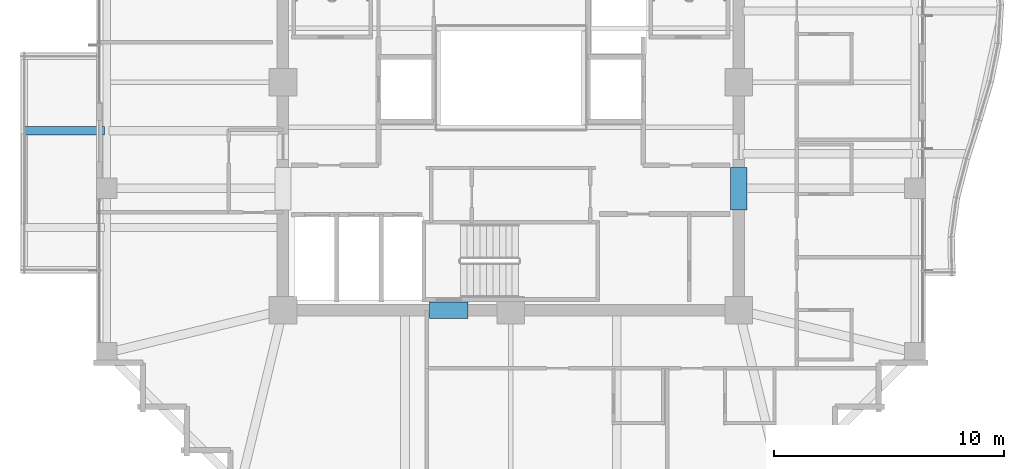
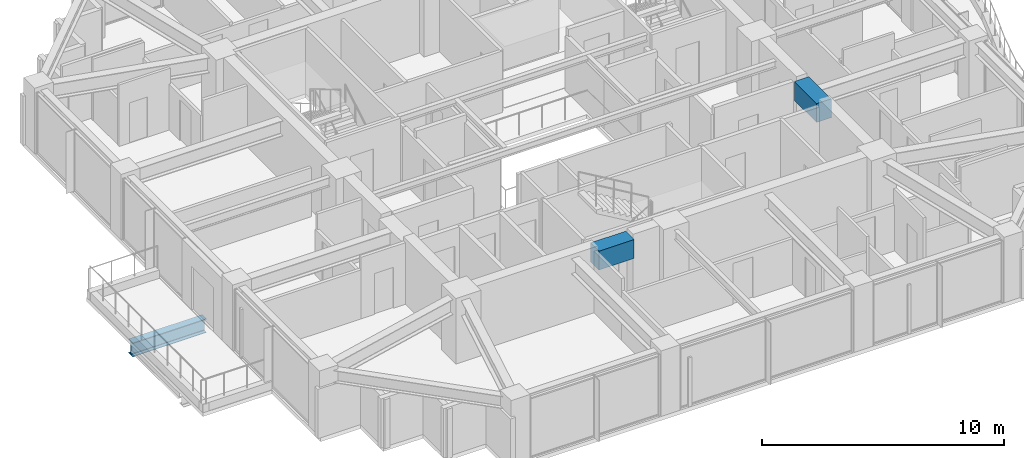
# One storey, part 8 of 32: 3 beams.
"""IFC4 building model written with IfcOpenShell, lengths in metres."""

from ifc_helpers import new_model, si_unit, direction, frame, origin, origin_2d, place, context, subcontext, project, spatial, rectangle, i_section, extrude, material, material_profile, profile_set, type_object, element, save


model = new_model("IFC4")

# Units and contexts
model_context = context("Model", 3, precision=1e-05, world=origin(), true_north=direction((0.0, 1.0)))
body_context = subcontext(model_context, "Body", "Model", "MODEL_VIEW")
ifc_project = project(units=[si_unit("LENGTHUNIT", "METRE"), si_unit("AREAUNIT", "SQUARE_METRE"), si_unit("VOLUMEUNIT", "CUBIC_METRE"), si_unit("PLANEANGLEUNIT", "RADIAN"), si_unit("MASSUNIT", "GRAM", prefix="KILO")], contexts=[model_context])

# Site, building, storey
site_placement = place(None, origin())
site = spatial("IfcSite", under=ifc_project, at=site_placement, CompositionType="ELEMENT")
building_placement = place(site_placement, origin())
building = spatial("IfcBuilding", under=site, at=building_placement, Name="Kolvaren Belvedere", CompositionType="ELEMENT")
storey_placement = place(building_placement, frame((0.0, 0.0, 141.5)))
storey = spatial("IfcBuildingStorey", under=building, at=storey_placement, Name="L41", CompositionType="ELEMENT", Elevation=141.5)

# Beams
ifc_material_1 = material(Name="Structural steel ASTM A992 Grade 50", Category="steel")
ifc_material_profile_1 = material_profile(ifc_material_1, i_section(OverallWidth=0.35498046875, OverallDepth=0.696044921875, WebThickness=0.015380859375, FlangeThickness=0.02490234375, FilletRadius=0.02197265625, at=origin_2d()), Name="W27X146")
ifc_profile_set_1 = profile_set([ifc_material_profile_1], Name="Structural steel ASTM A992 Grade 50")
beam_type_1 = type_object("IfcBeamType", Name="BM-CANT-BAL", PredefinedType="BEAM", material=ifc_profile_set_1)
beam_1_placement = place(storey_placement, frame((-17.64501953125, -2.10009765625, -0.548095703125), z_axis=(-1.0, 0.0, 0.0), x_axis=(0.0, -1.0, 0.0)))
element("IfcBeam", 1, at=beam_1_placement, inside=storey, type_object=beam_type_1, Name="L41 Planted Balcony Cantilever SPIRAL-06-W-2", PredefinedType="BEAM", context=body_context, shape_type="SweptSolid", body=[
    extrude(i_section(OverallWidth=0.35498046875, OverallDepth=0.696044921875, WebThickness=0.015380859375, FlangeThickness=0.02490234375, FilletRadius=0.02197265625, at=origin_2d()), origin(), (0.0, 0.0, 1.0), 3.514892578125),
])
ifc_material_2 = material(Name="Concrete C60/75", Category="concrete")
ifc_material_profile_2 = material_profile(ifc_material_2, rectangle(XDim=0.699951171875, YDim=0.949951171875, at=origin_2d()), Name="RC 700X950")
ifc_profile_set_2 = profile_set([ifc_material_profile_2], Name="Concrete C60/75")
beam_type_2 = type_object("IfcBeamType", Name="BM-LINT-950", PredefinedType="LINTEL", material=ifc_profile_set_2)
beam_2_placement = place(storey_placement, frame((-3.5400390625, -9.89990234375, 2.625), z_axis=(1.0, 0.0, 0.0), x_axis=(0.0, 1.0, 0.0)))
element("IfcBeam", 2, at=beam_2_placement, inside=storey, type_object=beam_type_2, Name="L41 South Core Coupling Lintel", PredefinedType="LINTEL", context=body_context, shape_type="SweptSolid", body=[
    extrude(rectangle(XDim=0.699951171875, YDim=0.949951171875, at=origin_2d()), origin(), (0.0, 0.0, 1.0), 1.679931640625),
])
beam_3_placement = place(storey_placement, frame((9.89990234375, -5.550048828125, 2.625), z_axis=(0.0, 1.0, 0.0), x_axis=(-1.0, 0.0, 0.0)))
element("IfcBeam", 3, at=beam_3_placement, inside=storey, type_object=beam_type_2, Name="L41 East Core Coupling Lintel", PredefinedType="LINTEL", context=body_context, shape_type="SweptSolid", body=[
    extrude(rectangle(XDim=0.699951171875, YDim=0.949951171875, at=origin_2d()), origin(), (0.0, 0.0, 1.0), 1.85009765625),
])

save(model, "model.ifc")
